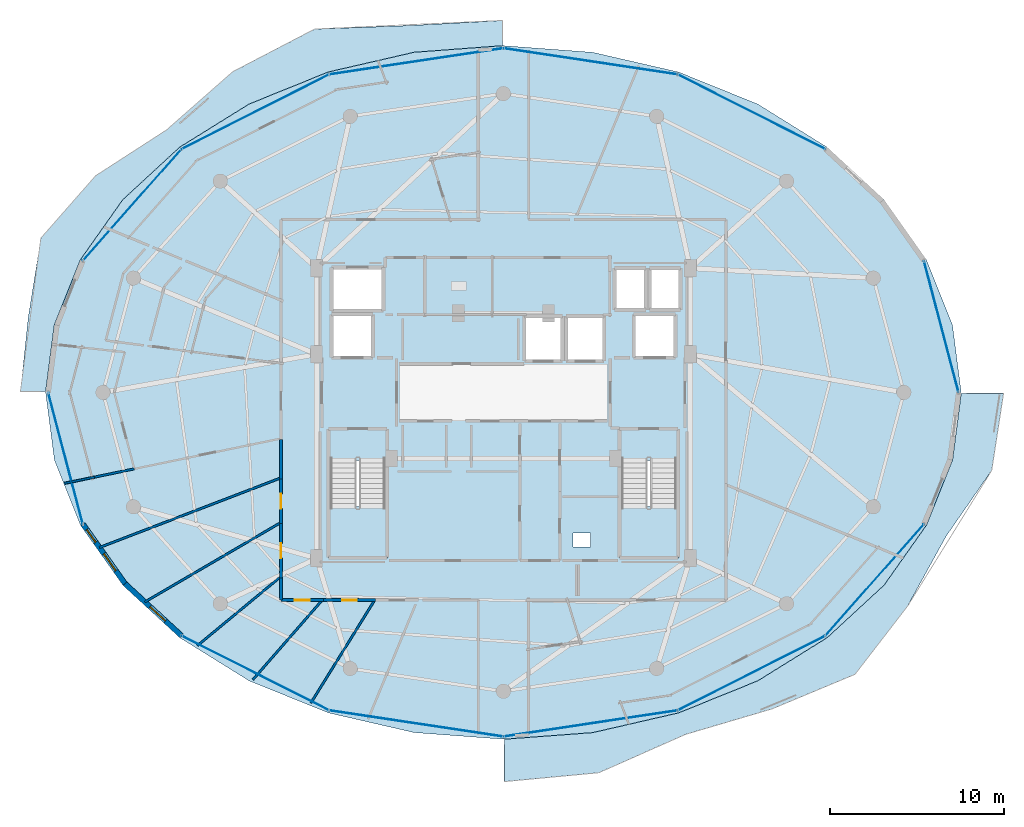
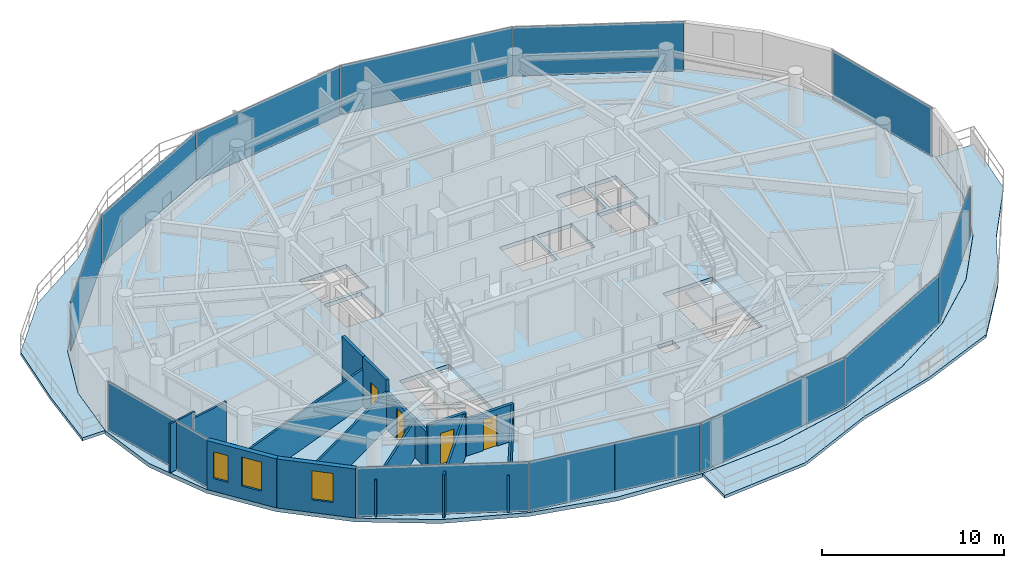
# One storey, part 21 of 30: 15 walls, 13 plates, 5 slabs, 4 doors, 3 windows, 7 openings, 6 elements without a shape of their own.
"""IFC4 building model written with IfcOpenShell, lengths in metres."""

from ifc_helpers import new_model, si_unit, direction, frame, frame_2d, origin, origin_2d, place, context, subcontext, project, spatial, polyline, rectangle, outline, extrude, material, layer, layer_set, type_object, element, fill, aggregate, save


model = new_model("IFC4")

# Units and contexts
model_context = context("Model", 3, precision=1e-05, world=origin(), true_north=direction((0.0, 1.0)))
body_context = subcontext(model_context, "Body", "Model", "MODEL_VIEW")
ifc_project = project(units=[si_unit("LENGTHUNIT", "METRE"), si_unit("AREAUNIT", "SQUARE_METRE"), si_unit("VOLUMEUNIT", "CUBIC_METRE"), si_unit("PLANEANGLEUNIT", "RADIAN"), si_unit("MASSUNIT", "GRAM", prefix="KILO")], contexts=[model_context])

# Site, building, storey
site_placement = place(None, origin())
site = spatial("IfcSite", under=ifc_project, at=site_placement, CompositionType="ELEMENT")
building_placement = place(site_placement, origin())
building = spatial("IfcBuilding", under=site, at=building_placement, Name="Vorneva Point Tower", CompositionType="ELEMENT")
storey_placement = place(building_placement, frame((0.0, 0.0, 241.35009765625)))
storey = spatial("IfcBuildingStorey", under=building, at=storey_placement, Name="L65", CompositionType="ELEMENT", Elevation=241.35009765625)

# Curtain wall, plate
ifc_material_1 = material(Name="Pale anodised aluminium", Category="aluminium")
curtain_wall_type = type_object("IfcCurtainWallType", Name="CW-RES-SYS", PredefinedType="NOTDEFINED", material=ifc_material_1)
curtain_wall_1_placement = place(storey_placement, origin())
curtain_wall_1 = element("IfcCurtainWall", 1, at=curtain_wall_1_placement, inside=storey, type_object=curtain_wall_type, Name="L65 Unitised Curtain Wall CW-L65-R01", PredefinedType="NOTDEFINED")
ifc_material_2 = material(Name="Double low-e laminated glass IGU", Category="glass")
ifc_layer_1 = layer(ifc_material_2, 0.035888671875)
ifc_layer_set_1 = layer_set([ifc_layer_1], Name="Double low-e laminated glass IGU")
plate_type = type_object("IfcPlateType", Name="CW-PNL-VIS", PredefinedType="CURTAIN_PANEL", material=ifc_layer_set_1)
plate_1_placement = place(storey_placement, frame((63.202880859375, 29.79052734375, -0.02001953125), z_axis=(0.0, 0.0, 1.0), x_axis=(-0.254416284022, 0.967094801157, 0.0)))
plate_1 = element("IfcPlate", 2, at=plate_1_placement, type_object=plate_type, Name="CW-L65-R01 Glazed Panel 01", PredefinedType="CURTAIN_PANEL", context=body_context, shape_type="SweptSolid", body=[
    extrude(rectangle(XDim=7.7890625, YDim=0.035888671875, at=origin_2d()), origin(), (0.0, 0.0, 1.0), 3.330078125),
])
aggregate(curtain_wall_1, [plate_1])

# Curtain wall, plates
curtain_wall_2_placement = place(storey_placement, origin())
curtain_wall_2 = element("IfcCurtainWall", 3, at=curtain_wall_2_placement, inside=storey, type_object=curtain_wall_type, Name="L65 Unitised Curtain Wall CW-L65-R02", PredefinedType="NOTDEFINED")
plate_2_placement = place(storey_placement, frame((52.2763671875, 42.15478515625, -0.02001953125), z_axis=(0.0, 0.0, 1.0), x_axis=(-0.892554339087, 0.450939853836, 0.0)))
plate_2 = element("IfcPlate", 4, at=plate_2_placement, type_object=plate_type, Name="CW-L65-R02 Glazed Panel 01", PredefinedType="CURTAIN_PANEL", context=body_context, shape_type="SweptSolid", body=[
    extrude(rectangle(XDim=9.47314453125, YDim=0.035888671875, at=origin_2d()), origin(), (0.0, 0.0, 1.0), 3.330078125),
])
plate_3_placement = place(storey_placement, frame((43.01318359375, 45.055908203125, -0.02001953125), z_axis=(0.0, 0.0, 1.0), x_axis=(-0.988878712919, 0.148724211669, 0.0)))
plate_3 = element("IfcPlate", 5, at=plate_3_placement, type_object=plate_type, Name="CW-L65-R02 Glazed Panel 02", PredefinedType="CURTAIN_PANEL", context=body_context, shape_type="SweptSolid", body=[
    extrude(rectangle(XDim=10.089111328125, YDim=0.035888671875, at=origin_2d()), origin(), (0.0, 0.0, 1.0), 3.330078125),
])
plate_4_placement = place(storey_placement, frame((32.98681640625, 45.055908203125, -0.02001953125), z_axis=(0.0, 0.0, 1.0), x_axis=(-0.988878712919, -0.148724211669, 0.0)))
plate_4 = element("IfcPlate", 6, at=plate_4_placement, type_object=plate_type, Name="CW-L65-R02 Glazed Panel 03", PredefinedType="CURTAIN_PANEL", context=body_context, shape_type="SweptSolid", body=[
    extrude(rectangle(XDim=10.089111328125, YDim=0.035888671875, at=origin_2d()), origin(), (0.0, 0.0, 1.0), 3.330078125),
])
plate_5_placement = place(storey_placement, frame((23.723876953125, 42.15478515625, -0.02001953125), z_axis=(0.0, 0.0, 1.0), x_axis=(-0.892554339087, -0.450939853836, 0.0)))
plate_5 = element("IfcPlate", 7, at=plate_5_placement, type_object=plate_type, Name="CW-L65-R02 Glazed Panel 04", PredefinedType="CURTAIN_PANEL", context=body_context, shape_type="SweptSolid", body=[
    extrude(rectangle(XDim=9.47314453125, YDim=0.035888671875, at=origin_2d()), origin(), (0.0, 0.0, 1.0), 3.330078125),
])
plate_6_placement = place(storey_placement, frame((16.634033203125, 36.79443359375, -0.02001953125), z_axis=(0.0, 0.0, 1.0), x_axis=(-0.662188570806, -0.749337238294, 0.0)))
plate_6 = element("IfcPlate", 8, at=plate_6_placement, type_object=plate_type, Name="CW-L65-R02 Glazed Panel 05", PredefinedType="CURTAIN_PANEL", context=body_context, shape_type="SweptSolid", body=[
    extrude(rectangle(XDim=8.526611328125, YDim=0.035888671875, at=origin_2d()), origin(), (0.0, 0.0, 1.0), 3.330078125),
])
aggregate(curtain_wall_2, [plate_2, plate_3, plate_4, plate_5, plate_6])

# Curtain wall, plate
curtain_wall_3_placement = place(storey_placement, origin())
curtain_wall_3 = element("IfcCurtainWall", 9, at=curtain_wall_3_placement, inside=storey, type_object=curtain_wall_type, Name="L65 Unitised Curtain Wall CW-L65-R03", PredefinedType="NOTDEFINED")
plate_7_placement = place(storey_placement, frame((12.797119140625, 22.20947265625, -0.02001953125), z_axis=(0.0, 0.0, 1.0), x_axis=(0.254416284022, -0.967094801157, 0.0)))
plate_7 = element("IfcPlate", 10, at=plate_7_placement, type_object=plate_type, Name="CW-L65-R03 Glazed Panel 01", PredefinedType="CURTAIN_PANEL", context=body_context, shape_type="SweptSolid", body=[
    extrude(rectangle(XDim=7.7890625, YDim=0.035888671875, at=origin_2d()), origin(), (0.0, 0.0, 1.0), 3.330078125),
])
aggregate(curtain_wall_3, [plate_7])

# Curtain wall, plates
curtain_wall_4_placement = place(storey_placement, origin())
curtain_wall_4 = element("IfcCurtainWall", 11, at=curtain_wall_4_placement, inside=storey, type_object=curtain_wall_type, Name="L65 Unitised Curtain Wall CW-L65-R04", PredefinedType="NOTDEFINED")
plate_8_placement = place(storey_placement, frame((23.723876953125, 9.84521484375, -0.02001953125), z_axis=(0.0, 0.0, 1.0), x_axis=(0.892554339087, -0.450939853836, 0.0)))
plate_8 = element("IfcPlate", 12, at=plate_8_placement, type_object=plate_type, Name="CW-L65-R04 Glazed Panel 01", PredefinedType="CURTAIN_PANEL", context=body_context, shape_type="SweptSolid", body=[
    extrude(rectangle(XDim=9.47314453125, YDim=0.035888671875, at=origin_2d()), origin(), (0.0, 0.0, 1.0), 3.330078125),
])
plate_9_placement = place(storey_placement, frame((30.480224609375, 7.32080078125, -0.02001953125), z_axis=(0.0, 0.0, 1.0), x_axis=(0.988878712919, -0.148724211669, 0.0)))
plate_9 = element("IfcPlate", 13, at=plate_9_placement, type_object=plate_type, Name="CW-L65-R04 Glazed Panel 02A", PredefinedType="CURTAIN_PANEL", context=body_context, shape_type="SweptSolid", body=[
    extrude(rectangle(XDim=5.01953125, YDim=0.035888671875, at=origin_2d()), origin(), (0.0, 0.0, 1.0), 3.330078125),
])
plate_10_placement = place(storey_placement, frame((35.493408203125, 6.56689453125, -0.02001953125), z_axis=(0.0, 0.0, 1.0), x_axis=(0.988878712919, -0.148724211669, 0.0)))
plate_10 = element("IfcPlate", 14, at=plate_10_placement, type_object=plate_type, Name="CW-L65-R04 Glazed Panel 02B", PredefinedType="CURTAIN_PANEL", context=body_context, shape_type="SweptSolid", body=[
    extrude(rectangle(XDim=5.01953125, YDim=0.035888671875, at=origin_2d()), origin(), (0.0, 0.0, 1.0), 3.330078125),
])
plate_11_placement = place(storey_placement, frame((43.01318359375, 6.944091796875, -0.02001953125), z_axis=(0.0, 0.0, 1.0), x_axis=(0.988878712919, 0.148724211669, 0.0)))
plate_11 = element("IfcPlate", 15, at=plate_11_placement, type_object=plate_type, Name="CW-L65-R04 Glazed Panel 03", PredefinedType="CURTAIN_PANEL", context=body_context, shape_type="SweptSolid", body=[
    extrude(rectangle(XDim=10.089111328125, YDim=0.035888671875, at=origin_2d()), origin(), (0.0, 0.0, 1.0), 3.330078125),
])
plate_12_placement = place(storey_placement, frame((52.2763671875, 9.84521484375, -0.02001953125), z_axis=(0.0, 0.0, 1.0), x_axis=(0.892554339087, 0.450939853836, 0.0)))
plate_12 = element("IfcPlate", 16, at=plate_12_placement, type_object=plate_type, Name="CW-L65-R04 Glazed Panel 04", PredefinedType="CURTAIN_PANEL", context=body_context, shape_type="SweptSolid", body=[
    extrude(rectangle(XDim=9.47314453125, YDim=0.035888671875, at=origin_2d()), origin(), (0.0, 0.0, 1.0), 3.330078125),
])
plate_13_placement = place(storey_placement, frame((59.365966796875, 15.20556640625, -0.02001953125), z_axis=(0.0, 0.0, 1.0), x_axis=(0.662188570806, 0.749337238294, 0.0)))
plate_13 = element("IfcPlate", 17, at=plate_13_placement, type_object=plate_type, Name="CW-L65-R04 Glazed Panel 05", PredefinedType="CURTAIN_PANEL", context=body_context, shape_type="SweptSolid", body=[
    extrude(rectangle(XDim=8.526611328125, YDim=0.035888671875, at=origin_2d()), origin(), (0.0, 0.0, 1.0), 3.330078125),
])
aggregate(curtain_wall_4, [plate_8, plate_9, plate_10, plate_11, plate_12, plate_13])

# Slabs
ifc_material_3 = material(Name="Concrete B50 (C40/50)", Category="concrete")
ifc_layer_2 = layer(ifc_material_3, 0.199951171875)
ifc_layer_set_2 = layer_set([ifc_layer_2], Name="Concrete B50 (C40/50)")
slab_type_1 = type_object("IfcSlabType", Name="SLB-BAL-200", PredefinedType="FLOOR", material=ifc_layer_set_2)
slab_1_placement = place(storey_placement, frame((0.0, 0.0, -0.2001953125)))
element("IfcSlab", 18, at=slab_1_placement, inside=storey, type_object=slab_type_1, Name="L65 Cantilevered Wave Balcony NW", PredefinedType="FLOOR", context=body_context, shape_type="SweptSolid", body=[
    extrude(outline(polyline([(10.2001953125, 26.050048828125), (11.652587890625, 26.050048828125), (12.15234375, 29.89453125), (12.15234375, 29.894775390625), (12.152587890625, 29.895263671875), (12.152587890625, 29.8955078125), (13.652099609375, 33.639892578125), (13.65234375, 33.640380859375), (13.652587890625, 33.640625), (16.08740234375, 37.091552734375), (16.087890625, 37.091796875), (16.088134765625, 37.092041015625), (19.364990234375, 40.11669921875), (19.365234375, 40.1171875), (19.365478515625, 40.1171875), (23.358642578125, 42.599609375), (23.35888671875, 42.599609375), (23.359130859375, 42.599853515625), (27.914794921875, 44.4443359375), (27.9150390625, 44.4443359375), (27.915283203125, 44.444580078125), (32.8583984375, 45.580322265625), (32.85888671875, 45.58056640625), (32.859130859375, 45.58056640625), (37.949951171875, 45.960205078125), (37.949951171875, 47.412353515625), (32.626708984375, 47.1201171875), (27.138916015625, 46.918212890625), (22.41845703125, 44.457763671875), (18.613037109375, 41.1103515625), (14.52587890625, 38.469482421875), (11.37744140625, 34.88427734375), (10.646484375, 30.29052734375), (10.2001953125, 26.050048828125)])), origin(), (0.0, 0.0, 1.0), 0.2001953125),
])
slab_2_placement = place(storey_placement, frame((0.0, 0.0, -0.2001953125)))
element("IfcSlab", 19, at=slab_2_placement, inside=storey, type_object=slab_type_1, Name="L65 Cantilevered Wave Balcony SE", PredefinedType="FLOOR", context=body_context, shape_type="SweptSolid", body=[
    extrude(outline(polyline([(66.10595703125, 21.511962890625), (66.787353515625, 25.949951171875), (64.347412109375, 25.949951171875), (63.84765625, 22.10546875), (63.84765625, 22.105224609375), (63.847412109375, 22.104736328125), (63.847412109375, 22.1044921875), (62.347900390625, 18.360107421875), (62.34765625, 18.359619140625), (62.347412109375, 18.359375), (59.91259765625, 14.908447265625), (59.912109375, 14.908203125), (59.911865234375, 14.907958984375), (56.635009765625, 11.88330078125), (56.634765625, 11.8828125), (56.634521484375, 11.8828125), (52.641357421875, 9.400390625), (52.64111328125, 9.400390625), (52.640869140625, 9.400146484375), (48.085205078125, 7.5556640625), (48.0849609375, 7.5556640625), (48.084716796875, 7.555419921875), (43.1416015625, 6.419677734375), (43.14111328125, 6.41943359375), (43.140869140625, 6.41943359375), (38.050048828125, 6.039794921875), (38.050048828125, 3.599609375), (43.489013671875, 4.110595703125), (48.473876953125, 6.31591796875), (53.458251953125, 7.785888671875), (58.232421875, 9.773681640625), (61.269287109375, 13.711181640625), (63.48779296875, 17.736328125), (66.10595703125, 21.511962890625)])), origin(), (0.0, 0.0, 1.0), 0.2001953125),
])

# Stair, slab
stair_type = type_object("IfcStairType", Name="ST-DOG-1500", PredefinedType="HALF_TURN_STAIR", material=ifc_material_3)
stair_1_placement = place(storey_placement, origin())
stair_1 = element("IfcStair", 20, at=stair_1_placement, inside=storey, type_object=stair_type, Name="L65 ST1", PredefinedType="HALF_TURN_STAIR")
ifc_layer_3 = layer(ifc_material_3, 0.199951171875)
ifc_layer_set_3 = layer_set([ifc_layer_3], Name="Concrete B50 (C40/50)")
slab_type_2 = type_object("IfcSlabType", Name="SLB-LND-200", PredefinedType="LANDING", material=ifc_layer_set_3)
slab_3_placement = place(storey_placement, frame((0.0, 0.0, 1.574951171875)))
slab_3 = element("IfcSlab", 21, at=slab_3_placement, type_object=slab_type_2, Name="ST1 landing 1", PredefinedType="LANDING", context=body_context, shape_type="SweptSolid", body=[
    extrude(outline(polyline([(27.929931640625, 16.47998046875), (31.320068359375, 16.47998046875), (31.320068359375, 19.43994140625), (27.929931640625, 19.43994140625), (27.929931640625, 16.47998046875)])), origin(), (0.0, 0.0, 1.0), 0.199951171875),
])
aggregate(stair_1, [slab_3])

stair_2_placement = place(storey_placement, origin())
stair_2 = element("IfcStair", 22, at=stair_2_placement, inside=storey, type_object=stair_type, Name="L65 ST2", PredefinedType="HALF_TURN_STAIR")
slab_4_placement = place(storey_placement, frame((0.0, 0.0, 1.574951171875)))
slab_4 = element("IfcSlab", 23, at=slab_4_placement, type_object=slab_type_2, Name="ST2 landing 1", PredefinedType="LANDING", context=body_context, shape_type="SweptSolid", body=[
    extrude(outline(polyline([(44.679931640625, 16.47998046875), (48.070068359375, 16.47998046875), (48.070068359375, 19.43994140625), (44.679931640625, 19.43994140625), (44.679931640625, 16.47998046875)])), origin(), (0.0, 0.0, 1.0), 0.199951171875),
])
aggregate(stair_2, [slab_4])

# Slab
ifc_layer_4 = layer(ifc_material_3, 0.260009765625)
ifc_layer_set_4 = layer_set([ifc_layer_4], Name="Concrete B50 (C40/50)")
slab_type_3 = type_object("IfcSlabType", Name="SLB-TYP-260", PredefinedType="FLOOR", material=ifc_layer_set_4)
slab_5_placement = place(storey_placement, frame((0.0, 0.0, -0.260009765625)))
element("IfcSlab", 24, at=slab_5_placement, inside=storey, type_object=slab_type_3, Name="L65 Structural Floor Plate", PredefinedType="FLOOR", context=body_context, shape_type="SweptSolid", body=[
    extrude(outline(polyline([(64.35009765625, 26.0), (63.84375, 29.89404296875), (62.34423828125, 33.638427734375), (59.9091796875, 37.089111328125), (56.63232421875, 40.114013671875), (52.639404296875, 42.59619140625), (48.083740234375, 44.440673828125), (43.140625, 45.576416015625), (38.0, 45.9599609375), (32.859375, 45.576416015625), (27.916259765625, 44.440673828125), (23.360595703125, 42.59619140625), (19.36767578125, 40.114013671875), (16.0908203125, 37.089111328125), (13.65576171875, 33.638427734375), (12.15625, 29.89404296875), (11.64990234375, 26.0), (12.15625, 22.10595703125), (13.65576171875, 18.361572265625), (16.0908203125, 14.910888671875), (19.36767578125, 11.885986328125), (23.360595703125, 9.40380859375), (27.916259765625, 7.559326171875), (32.859375, 6.423583984375), (38.0, 6.0400390625), (43.140625, 6.423583984375), (48.083740234375, 7.559326171875), (52.639404296875, 9.40380859375), (56.63232421875, 11.885986328125), (59.9091796875, 14.910888671875), (62.34423828125, 18.361572265625), (63.84375, 22.10595703125), (64.35009765625, 26.0)]), holes=[polyline([(39.199951171875, 27.800048828125), (41.39990234375, 27.800048828125), (41.39990234375, 30.39990234375), (39.199951171875, 30.39990234375), (39.199951171875, 27.800048828125)]), polyline([(41.60009765625, 27.800048828125), (43.800048828125, 27.800048828125), (43.800048828125, 30.39990234375), (41.60009765625, 30.39990234375), (41.60009765625, 27.800048828125)]), polyline([(44.39990234375, 30.739990234375), (46.199951171875, 30.739990234375), (46.199951171875, 33.159912109375), (44.39990234375, 33.159912109375), (44.39990234375, 30.739990234375)]), polyline([(46.39990234375, 30.739990234375), (48.199951171875, 30.739990234375), (48.199951171875, 33.159912109375), (46.39990234375, 33.159912109375), (46.39990234375, 30.739990234375)]), polyline([(28.10009765625, 28.0), (30.5, 28.0), (30.5, 30.5), (28.10009765625, 30.5), (28.10009765625, 28.0)]), polyline([(45.5, 28.0), (47.89990234375, 28.0), (47.89990234375, 30.5), (45.5, 30.5), (45.5, 28.0)]), polyline([(28.10009765625, 30.699951171875), (31.10009765625, 30.699951171875), (31.10009765625, 33.199951171875), (28.10009765625, 33.199951171875), (28.10009765625, 30.699951171875)]), polyline([(28.050048828125, 16.60009765625), (31.199951171875, 16.60009765625), (31.199951171875, 22.080078125), (28.050048828125, 22.080078125), (28.050048828125, 16.60009765625)]), polyline([(44.800048828125, 16.60009765625), (47.949951171875, 16.60009765625), (47.949951171875, 22.080078125), (44.800048828125, 22.080078125), (44.800048828125, 16.60009765625)]), polyline([(42.0, 17.10009765625), (43.0, 17.10009765625), (43.0, 17.89990234375), (42.0, 17.89990234375), (42.0, 17.10009765625)])]), origin(), (0.0, 0.0, 1.0), 0.260009765625),
])

# Wall, openings, windows
ifc_material_4 = material(Name="Precast concrete B50 (C40/50)", Category="concrete")
ifc_layer_5 = layer(ifc_material_4, 0.300048828125)
ifc_layer_set_5 = layer_set([ifc_layer_5], Name="Precast concrete B50 (C40/50)")
wall_type_1 = type_object("IfcWallType", Name="WL-EXT-300", PredefinedType="STANDARD", material=ifc_layer_set_5)
wall_1_placement = place(storey_placement, frame((13.79443359375, 18.4189453125, 0.0), z_axis=(0.0, 0.0, 1.0), x_axis=(0.577261247247, -0.816559521668, 0.0)))
wall_1 = element("IfcWall", 25, at=wall_1_placement, inside=storey, type_object=wall_type_1, Name="L65 Pale-Metal Facade Spandrel Wall 10.1", PredefinedType="STANDARD", context=body_context, shape_type="SweptSolid", body=[
    extrude(rectangle(XDim=4.194091796875, YDim=0.300048828125, at=frame_2d((2.09716796875, 0.0))), origin(), (0.0, 0.0, 1.0), 3.289794921875),
])
opening_1_placement = place(wall_1_placement, frame((0.37646484375, 0.0, 0.85009765625)))
opening_1 = element("IfcOpeningElement", 26, at=opening_1_placement, cuts=wall_1, Name="Opening W-08", PredefinedType="OPENING", context=body_context, shape_type="SweptSolid", body=[
    extrude(rectangle(XDim=0.89990234375, YDim=1.800048828125, at=frame_2d((0.449951171875, 0.89990234375))), frame((0.0, 0.1650390625, 0.0), z_axis=(0.0, -1.0, 0.0), x_axis=(1.0, 0.0, 0.0)), (0.0, 0.0, 1.0), 0.329833984375),
])
opening_2_placement = place(wall_1_placement, frame((2.087158203125, 0.0, 0.85009765625)))
opening_2 = element("IfcOpeningElement", 27, at=opening_2_placement, cuts=wall_1, Name="Opening W-04", PredefinedType="OPENING", context=body_context, shape_type="SweptSolid", body=[
    extrude(rectangle(XDim=1.199951171875, YDim=1.949951171875, at=frame_2d((0.60009765625, 0.97509765625))), frame((0.0, 0.1650390625, 0.0), z_axis=(0.0, -1.0, 0.0), x_axis=(1.0, 0.0, 0.0)), (0.0, 0.0, 1.0), 0.329833984375),
])
window_type_1 = type_object("IfcWindowType", Name="WN-CAS-900", PartitioningType="SINGLE_PANEL", PredefinedType="WINDOW", material=ifc_material_2)
window_1_placement = place(opening_1_placement, origin())
window_1 = element("IfcWindow", 28, at=window_1_placement, inside=storey, type_object=window_type_1, Name="L65 Dwelling Vision Window 01", OverallHeight=1.800048828125, OverallWidth=0.89990234375, PartitioningType="SINGLE_PANEL", PredefinedType="WINDOW", context=body_context, shape_type="SweptSolid", body=[
    extrude(rectangle(XDim=0.89990234375, YDim=1.800048828125, at=frame_2d((0.449951171875, 0.89990234375))), frame((0.0, 0.030029296875, 0.0), z_axis=(0.0, -1.0, 0.0), x_axis=(1.0, 0.0, 0.0)), (0.0, 0.0, 1.0), 0.06005859375),
])
fill(opening_1, window_1)
window_type_2 = type_object("IfcWindowType", Name="WN-RES-1200", PartitioningType="SINGLE_PANEL", PredefinedType="WINDOW", material=ifc_material_2)
window_2_placement = place(opening_2_placement, origin())
window_2 = element("IfcWindow", 29, at=window_2_placement, inside=storey, type_object=window_type_2, Name="L65 Dwelling Vision Window 02", OverallHeight=1.949951171875, OverallWidth=1.199951171875, PartitioningType="SINGLE_PANEL", PredefinedType="WINDOW", context=body_context, shape_type="SweptSolid", body=[
    extrude(rectangle(XDim=1.199951171875, YDim=1.949951171875, at=frame_2d((0.60009765625, 0.97509765625))), frame((0.0, 0.030029296875, 0.0), z_axis=(0.0, -1.0, 0.0), x_axis=(1.0, 0.0, 0.0)), (0.0, 0.0, 1.0), 0.06005859375),
])
fill(opening_2, window_2)

# Wall, opening, window
wall_2_placement = place(storey_placement, frame((16.215576171875, 14.994140625, 0.0), z_axis=(0.0, 0.0, 1.0), x_axis=(0.735445373611, -0.677584018727, 0.0)))
wall_2 = element("IfcWall", 30, at=wall_2_placement, inside=storey, type_object=wall_type_1, Name="L65 Pale-Metal Facade Spandrel Wall 10.2", PredefinedType="STANDARD", context=body_context, shape_type="SweptSolid", body=[
    extrude(rectangle(XDim=4.430419921875, YDim=0.300048828125, at=frame_2d((2.21533203125, 0.0))), origin(), (0.0, 0.0, 1.0), 3.289794921875),
])
opening_3_placement = place(wall_2_placement, frame((1.96923828125, 0.0, 0.85009765625)))
opening_3 = element("IfcOpeningElement", 31, at=opening_3_placement, cuts=wall_2, Name="Opening W-04", PredefinedType="OPENING", context=body_context, shape_type="SweptSolid", body=[
    extrude(rectangle(XDim=1.199951171875, YDim=1.949951171875, at=frame_2d((0.60009765625, 0.97509765625))), frame((0.0, 0.1650390625, 0.0), z_axis=(0.0, -1.0, 0.0), x_axis=(1.0, 0.0, 0.0)), (0.0, 0.0, 1.0), 0.329833984375),
])
window_3_placement = place(opening_3_placement, origin())
window_3 = element("IfcWindow", 32, at=window_3_placement, inside=storey, type_object=window_type_2, Name="L65 Dwelling Vision Window 03", OverallHeight=1.949951171875, OverallWidth=1.199951171875, PartitioningType="SINGLE_PANEL", PredefinedType="WINDOW", context=body_context, shape_type="SweptSolid", body=[
    extrude(rectangle(XDim=1.199951171875, YDim=1.949951171875, at=frame_2d((0.60009765625, 0.97509765625))), frame((0.0, 0.030029296875, 0.0), z_axis=(0.0, -1.0, 0.0), x_axis=(1.0, 0.0, 0.0)), (0.0, 0.0, 1.0), 0.06005859375),
])
fill(opening_3, window_3)

# Walls
ifc_material_5 = material(Name="Fire-rated acoustic gypsum stud partition", Category="gypsum")
ifc_layer_6 = layer(ifc_material_5, 0.110107421875)
ifc_layer_set_6 = layer_set([ifc_layer_6], Name="Fire-rated acoustic gypsum stud partition")
wall_type_2 = type_object("IfcWallType", Name="WL-PART-110", PredefinedType="PARTITIONING", material=ifc_layer_set_6)
wall_3_placement = place(storey_placement, frame((12.7080078125, 20.7626953125, 0.0), z_axis=(0.0, 0.0, 1.0), x_axis=(0.979256697864, 0.202623591143, 0.0)))
element("IfcWall", 33, at=wall_3_placement, inside=storey, type_object=wall_type_2, Name="L65 Interior Partition 077", PredefinedType="PARTITIONING", context=body_context, shape_type="SweptSolid", body=[
    extrude(rectangle(XDim=1.79541015625, YDim=0.110107421875, at=frame_2d((0.897705078125, 0.0))), origin(), (0.0, 0.0, 1.0), 3.289794921875),
])
ifc_layer_7 = layer(ifc_material_5, 0.125)
ifc_layer_set_7 = layer_set([ifc_layer_7], Name="Fire-rated acoustic gypsum stud partition")
wall_type_3 = type_object("IfcWallType", Name="WL-PART-125", PredefinedType="PARTITIONING", material=ifc_layer_set_7)
wall_4_placement = place(storey_placement, frame((16.757080078125, 21.60107421875, 0.0), z_axis=(0.0, 0.0, 1.0), x_axis=(-0.979193678003, -0.2029279206, 0.0)))
element("IfcWall", 34, at=wall_4_placement, inside=storey, type_object=wall_type_3, Name="L65 Interior Partition 071", PredefinedType="PARTITIONING", context=body_context, shape_type="SweptSolid", body=[
    extrude(rectangle(XDim=2.4794921875, YDim=0.125, at=frame_2d((1.23974609375, 0.0))), origin(), (0.0, 0.0, 1.0), 2.8740234375),
])
wall_5_placement = place(storey_placement, frame((14.748046875, 17.073974609375, 0.0), z_axis=(0.0, 0.0, 1.0), x_axis=(0.93355564233, 0.358432507836, 0.0)))
element("IfcWall", 35, at=wall_5_placement, inside=storey, type_object=wall_type_3, Name="L65 Interior Partition 078", PredefinedType="PARTITIONING", context=body_context, shape_type="SweptSolid", body=[
    extrude(rectangle(XDim=11.19580078125, YDim=0.125, at=frame_2d((5.597900390625, 0.0))), origin(), (0.0, 0.0, 1.0), 2.48193359375),
])
wall_6_placement = place(storey_placement, frame((17.363037109375, 13.94091796875, 0.0), z_axis=(0.0, 0.0, 1.0), x_axis=(0.863415767124, 0.5044930258, 0.0)))
element("IfcWall", 36, at=wall_6_placement, inside=storey, type_object=wall_type_3, Name="L65 Interior Partition 079", PredefinedType="PARTITIONING", context=body_context, shape_type="SweptSolid", body=[
    extrude(rectangle(XDim=9.07666015625, YDim=0.125, at=frame_2d((4.538330078125, 0.0))), origin(), (0.0, 0.0, 1.0), 2.48193359375),
])
wall_7_placement = place(storey_placement, frame((20.386962890625, 11.428955078125, 0.0), z_axis=(0.0, 0.0, 1.0), x_axis=(0.770490958976, 0.637450925277, 0.0)))
element("IfcWall", 37, at=wall_7_placement, inside=storey, type_object=wall_type_3, Name="L65 Interior Partition 080", PredefinedType="PARTITIONING", context=body_context, shape_type="SweptSolid", body=[
    extrude(rectangle(XDim=6.24658203125, YDim=0.125, at=frame_2d((3.123291015625, 0.0))), origin(), (0.0, 0.0, 1.0), 2.48193359375),
])
wall_8_placement = place(storey_placement, frame((23.583984375, 9.47509765625, 0.0), z_axis=(0.0, 0.0, 1.0), x_axis=(0.657373610703, 0.75356481868, 0.0)))
element("IfcWall", 38, at=wall_8_placement, inside=storey, type_object=wall_type_3, Name="L65 Interior Partition 081", PredefinedType="PARTITIONING", context=body_context, shape_type="SweptSolid", body=[
    extrude(rectangle(XDim=6.071044921875, YDim=0.125, at=frame_2d((3.03564453125, 0.0))), origin(), (0.0, 0.0, 1.0), 2.8740234375),
])
wall_9_placement = place(storey_placement, frame((26.91796875, 8.1259765625, 0.0), z_axis=(0.0, 0.0, 1.0), x_axis=(0.526957378796, 0.849891711298, 0.0)))
element("IfcWall", 39, at=wall_9_placement, inside=storey, type_object=wall_type_3, Name="L65 Interior Partition 082", PredefinedType="PARTITIONING", context=body_context, shape_type="SweptSolid", body=[
    extrude(rectangle(XDim=6.970458984375, YDim=0.125, at=frame_2d((3.4853515625, 0.0))), origin(), (0.0, 0.0, 1.0), 2.48193359375),
])
ifc_material_6 = material(Name="Autoclaved aerated concrete blockwork", Category="masonry")
ifc_layer_8 = layer(ifc_material_6, 0.179931640625)
ifc_layer_set_8 = layer_set([ifc_layer_8], Name="Autoclaved aerated concrete blockwork")
wall_type_4 = type_object("IfcWallType", Name="WL-PART-180", PredefinedType="PARTITIONING", material=ifc_layer_set_8)
wall_10_placement = place(storey_placement, frame((25.199951171875, 23.2880859375, 0.0), z_axis=(0.0, 0.0, 1.0), x_axis=(0.0, -1.0, 0.0)))
element("IfcWall", 40, at=wall_10_placement, inside=storey, type_object=wall_type_4, Name="L65 Interior Partition 039", PredefinedType="PARTITIONING", context=body_context, shape_type="SweptSolid", body=[
    extrude(rectangle(XDim=2.26513671875, YDim=0.179931640625, at=frame_2d((1.132568359375, 0.0))), origin(), (0.0, 0.0, 1.0), 3.289794921875),
])

# Wall, opening, door
wall_11_placement = place(storey_placement, frame((25.199951171875, 21.02294921875, 0.0), z_axis=(0.0, 0.0, 1.0), x_axis=(0.0, -1.0, 0.0)))
wall_11 = element("IfcWall", 41, at=wall_11_placement, inside=storey, type_object=wall_type_4, Name="L65 Interior Partition 040", PredefinedType="PARTITIONING", context=body_context, shape_type="SweptSolid", body=[
    extrude(rectangle(XDim=2.572021484375, YDim=0.179931640625, at=frame_2d((1.2861328125, 0.0))), origin(), (0.0, 0.0, 1.0), 3.289794921875),
])
opening_4_placement = place(wall_11_placement, frame((0.861083984375, 0.0, 0.0)))
opening_4 = element("IfcOpeningElement", 42, at=opening_4_placement, cuts=wall_11, Name="Opening ID-02", PredefinedType="OPENING", context=body_context, shape_type="SweptSolid", body=[
    extrude(rectangle(XDim=0.85009765625, YDim=2.10009765625, at=frame_2d((0.425048828125, 1.050048828125))), frame((0.0, 0.10498046875, 0.0), z_axis=(0.0, -1.0, 0.0), x_axis=(1.0, 0.0, 0.0)), (0.0, 0.0, 1.0), 0.209716796875),
])
ifc_material_7 = material(Name="Engineered oak fire-rated door leaf", Category="wood")
door_type = type_object("IfcDoorType", Name="DR-BATH-850", OperationType="NOTDEFINED", PredefinedType="DOOR", material=ifc_material_7)
door_1_placement = place(opening_4_placement, origin())
door_1 = element("IfcDoor", 43, at=door_1_placement, inside=storey, type_object=door_type, Name="L65 Access Door L65 Circulation Corridor", OperationType="SINGLE_SWING_RIGHT", OverallHeight=2.10009765625, OverallWidth=0.85009765625, PredefinedType="DOOR", context=body_context, shape_type="SweptSolid", body=[
    extrude(rectangle(XDim=0.85009765625, YDim=2.10009765625, at=frame_2d((0.425048828125, 1.050048828125))), frame((0.0, 0.02490234375, 0.0), z_axis=(0.0, -1.0, 0.0), x_axis=(1.0, 0.0, 0.0)), (0.0, 0.0, 1.0), 0.050048828125),
])
fill(opening_4, door_1)

wall_12_placement = place(storey_placement, frame((25.199951171875, 18.450927734375, 0.0), z_axis=(0.0, 0.0, 1.0), x_axis=(0.0, -1.0, 0.0)))
wall_12 = element("IfcWall", 44, at=wall_12_placement, inside=storey, type_object=wall_type_4, Name="L65 Interior Partition 041", PredefinedType="PARTITIONING", context=body_context, shape_type="SweptSolid", body=[
    extrude(rectangle(XDim=3.117919921875, YDim=0.179931640625, at=frame_2d((1.55908203125, 0.0))), origin(), (0.0, 0.0, 1.0), 2.48193359375),
])
opening_5_placement = place(wall_12_placement, frame((1.134033203125, 0.0, 0.0)))
opening_5 = element("IfcOpeningElement", 45, at=opening_5_placement, cuts=wall_12, Name="Opening ID-02", PredefinedType="OPENING", context=body_context, shape_type="SweptSolid", body=[
    extrude(rectangle(XDim=0.85009765625, YDim=2.10009765625, at=frame_2d((0.425048828125, 1.050048828125))), frame((0.0, 0.10498046875, 0.0), z_axis=(0.0, -1.0, 0.0), x_axis=(1.0, 0.0, 0.0)), (0.0, 0.0, 1.0), 0.209716796875),
])
door_2_placement = place(opening_5_placement, origin())
door_2 = element("IfcDoor", 46, at=door_2_placement, inside=storey, type_object=door_type, Name="L65 Access Door L65 Circulation Corridor", OperationType="SINGLE_SWING_LEFT", OverallHeight=2.10009765625, OverallWidth=0.85009765625, PredefinedType="DOOR", context=body_context, shape_type="SweptSolid", body=[
    extrude(rectangle(XDim=0.85009765625, YDim=2.10009765625, at=frame_2d((0.425048828125, 1.050048828125))), frame((0.0, 0.02490234375, 0.0), z_axis=(0.0, -1.0, 0.0), x_axis=(1.0, 0.0, 0.0)), (0.0, 0.0, 1.0), 0.050048828125),
])
fill(opening_5, door_2)

# Wall
wall_13_placement = place(storey_placement, frame((25.199951171875, 15.3330078125, 0.0), z_axis=(0.0, 0.0, 1.0), x_axis=(0.0, -1.0, 0.0)))
element("IfcWall", 47, at=wall_13_placement, inside=storey, type_object=wall_type_4, Name="L65 Interior Partition 042", PredefinedType="PARTITIONING", context=body_context, shape_type="SweptSolid", body=[
    extrude(rectangle(XDim=1.282958984375, YDim=0.179931640625, at=frame_2d((0.6416015625, 0.0))), origin(), (0.0, 0.0, 1.0), 2.48193359375),
])

# Wall, opening, door
wall_14_placement = place(storey_placement, frame((25.199951171875, 14.050048828125, 0.0), z_axis=(0.0, 0.0, 1.0), x_axis=(1.0, 0.0, 0.0)))
wall_14 = element("IfcWall", 48, at=wall_14_placement, inside=storey, type_object=wall_type_4, Name="L65 Interior Partition 043", PredefinedType="PARTITIONING", context=body_context, shape_type="SweptSolid", body=[
    extrude(rectangle(XDim=2.43505859375, YDim=0.179931640625, at=frame_2d((1.217529296875, 0.0))), origin(), (0.0, 0.0, 1.0), 2.923828125),
])
opening_6_placement = place(wall_14_placement, frame((0.79248046875, 0.0, 0.0)))
opening_6 = element("IfcOpeningElement", 49, at=opening_6_placement, cuts=wall_14, Name="Opening ID-02", PredefinedType="OPENING", context=body_context, shape_type="SweptSolid", body=[
    extrude(rectangle(XDim=0.85009765625, YDim=2.10009765625, at=frame_2d((0.425048828125, 1.050048828125))), frame((0.0, 0.10498046875, 0.0), z_axis=(0.0, -1.0, 0.0), x_axis=(1.0, 0.0, 0.0)), (0.0, 0.0, 1.0), 0.209716796875),
])
door_3_placement = place(opening_6_placement, origin())
door_3 = element("IfcDoor", 50, at=door_3_placement, inside=storey, type_object=door_type, Name="L65 Access Door L65 Circulation Corridor", OperationType="SINGLE_SWING_RIGHT", OverallHeight=2.10009765625, OverallWidth=0.85009765625, PredefinedType="DOOR", context=body_context, shape_type="SweptSolid", body=[
    extrude(rectangle(XDim=0.85009765625, YDim=2.10009765625, at=frame_2d((0.425048828125, 1.050048828125))), frame((0.0, 0.02490234375, 0.0), z_axis=(0.0, -1.0, 0.0), x_axis=(1.0, 0.0, 0.0)), (0.0, 0.0, 1.0), 0.050048828125),
])
fill(opening_6, door_3)

wall_15_placement = place(storey_placement, frame((27.635009765625, 14.050048828125, 0.0), z_axis=(0.0, 0.0, 1.0), x_axis=(1.0, 0.0, 0.0)))
wall_15 = element("IfcWall", 51, at=wall_15_placement, inside=storey, type_object=wall_type_4, Name="L65 Interior Partition 044", PredefinedType="PARTITIONING", context=body_context, shape_type="SweptSolid", body=[
    extrude(rectangle(XDim=3.015869140625, YDim=0.179931640625, at=frame_2d((1.5078125, 0.0))), origin(), (0.0, 0.0, 1.0), 2.48193359375),
])
opening_7_placement = place(wall_15_placement, frame((1.0830078125, 0.0, 0.0)))
opening_7 = element("IfcOpeningElement", 52, at=opening_7_placement, cuts=wall_15, Name="Opening ID-02", PredefinedType="OPENING", context=body_context, shape_type="SweptSolid", body=[
    extrude(rectangle(XDim=0.85009765625, YDim=2.10009765625, at=frame_2d((0.425048828125, 1.050048828125))), frame((0.0, 0.10498046875, 0.0), z_axis=(0.0, -1.0, 0.0), x_axis=(1.0, 0.0, 0.0)), (0.0, 0.0, 1.0), 0.209716796875),
])
door_4_placement = place(opening_7_placement, origin())
door_4 = element("IfcDoor", 53, at=door_4_placement, inside=storey, type_object=door_type, Name="L65 Access Door L65 Circulation Corridor", OperationType="SINGLE_SWING_LEFT", OverallHeight=2.10009765625, OverallWidth=0.85009765625, PredefinedType="DOOR", context=body_context, shape_type="SweptSolid", body=[
    extrude(rectangle(XDim=0.85009765625, YDim=2.10009765625, at=frame_2d((0.425048828125, 1.050048828125))), frame((0.0, 0.02490234375, 0.0), z_axis=(0.0, -1.0, 0.0), x_axis=(1.0, 0.0, 0.0)), (0.0, 0.0, 1.0), 0.050048828125),
])
fill(opening_7, door_4)

save(model, "model.ifc")
